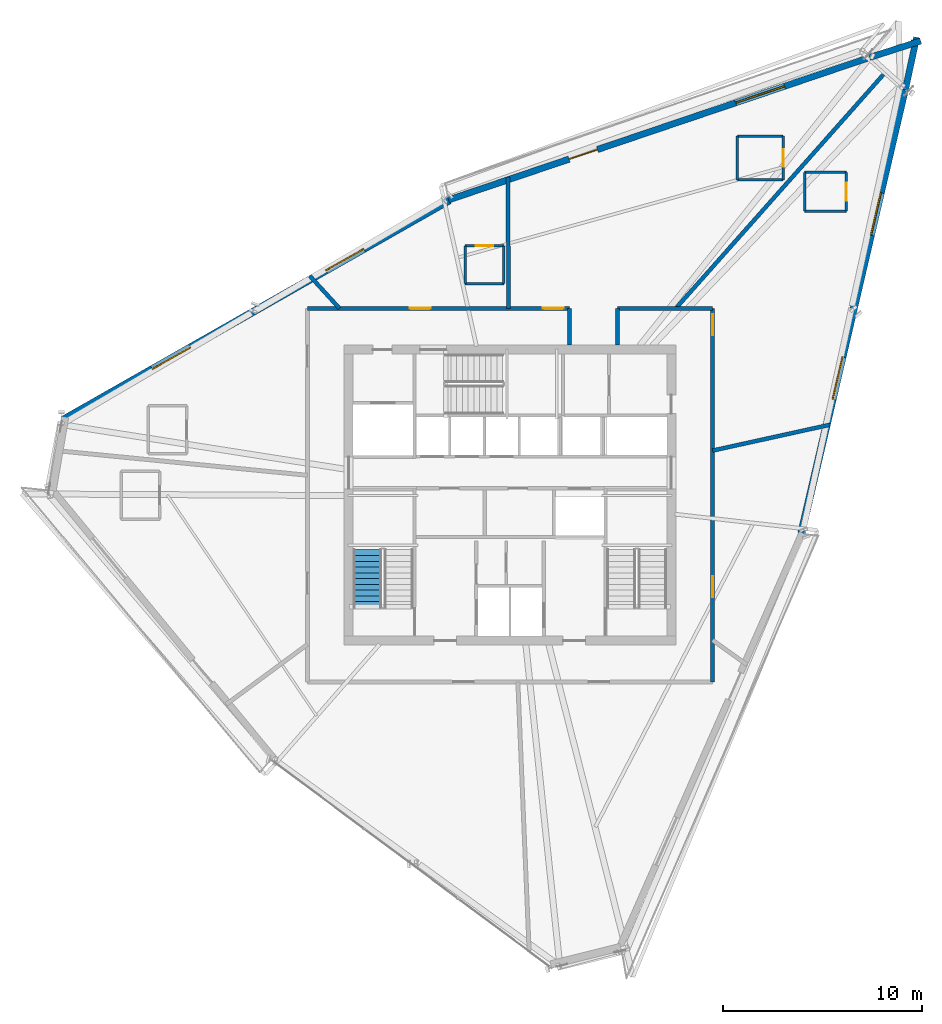
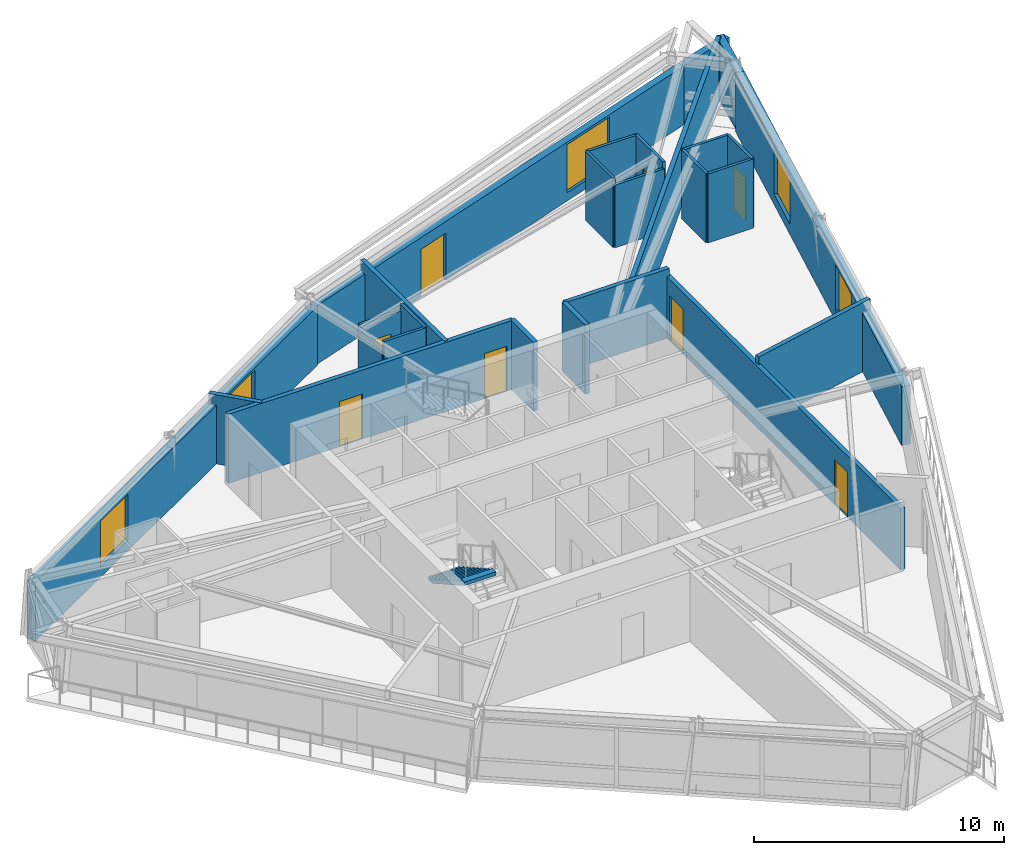
# One storey, part 10 of 14: 26 walls, 8 doors, 5 windows, 1 stair flight, 13 openings, 1 element without a shape of its own.
"""IFC4 building model written with IfcOpenShell, lengths in metres."""

from ifc_helpers import new_model, si_unit, direction, frame, frame_2d, origin, place, context, subcontext, project, spatial, polyline, rectangle, outline, extrude, source, transform, mapped, material, layer, layer_set, type_object, type_shapes, element, fill, aggregate, save


model = new_model("IFC4")

# Units and contexts
model_context = context("Model", 3, precision=1e-05, world=origin(), true_north=direction((0.0, 1.0)))
body_context = subcontext(model_context, "Body", "Model", "MODEL_VIEW")
ifc_project = project(units=[si_unit("LENGTHUNIT", "METRE"), si_unit("AREAUNIT", "SQUARE_METRE"), si_unit("VOLUMEUNIT", "CUBIC_METRE"), si_unit("PLANEANGLEUNIT", "RADIAN"), si_unit("MASSUNIT", "GRAM", prefix="KILO")], contexts=[model_context])

# Site, building, storey
site_placement = place(None, origin())
site = spatial("IfcSite", under=ifc_project, at=site_placement, CompositionType="ELEMENT")
building_placement = place(site_placement, origin())
building = spatial("IfcBuilding", under=site, at=building_placement, Name="Olszyna Solenne Hotel", CompositionType="ELEMENT")
storey_placement = place(building_placement, frame((0.0, 0.0, 230.89990234375)))
storey = spatial("IfcBuildingStorey", under=building, at=storey_placement, Name="L61", CompositionType="ELEMENT", Elevation=230.89990234375)

# Wall, openings, door, window
ifc_material_1 = material(Name="Precast concrete C45/55", Category="concrete")
ifc_layer_1 = layer(ifc_material_1, 0.320068359375, Name="Precast concrete C45/55")
ifc_layer_set_1 = layer_set([ifc_layer_1], Name="Precast concrete C45/55")
wall_type_1 = type_object("IfcWallType", Name="WL-EX320", PredefinedType="SOLIDWALL", material=ifc_layer_set_1)
wall_1_placement = place(storey_placement, frame((34.90869140625, 41.46240234375, 0.0), z_axis=(0.0, 0.0, 1.0), x_axis=(0.947234987264, 0.320539980193, 0.0)))
wall_1 = element("IfcWall", 1, at=wall_1_placement, inside=storey, type_object=wall_type_1, Name="Exterior terracotta-precast frame wall WL-EX320 EW-L61-07", PredefinedType="SOLIDWALL", context=body_context, shape_type="SweptSolid", body=[
    extrude(rectangle(XDim=22.369140625, YDim=0.320068359375, at=frame_2d((11.1845703125, 0.0))), origin(), (0.0, 0.0, 1.0), 2.8720703125),
])
opening_1_placement = place(wall_1_placement, frame((6.407958984375, 0.0, 0.0)))
opening_1 = element("IfcOpeningElement", 2, at=opening_1_placement, cuts=wall_1, Name="Opening LDG-L61-1", PredefinedType="OPENING", context=body_context, shape_type="SweptSolid", body=[
    extrude(rectangle(XDim=1.5, YDim=2.300048828125, at=frame_2d((0.75, 1.14990234375))), frame((0.0, 0.169921875, 0.0), z_axis=(0.0, -1.0, 0.0), x_axis=(1.0, 0.0, 0.0)), (0.0, 0.0, 1.0), 0.340087890625),
])
opening_2_placement = place(wall_1_placement, frame((15.2529296875, 0.0, 0.402099609375)))
opening_2 = element("IfcOpeningElement", 3, at=opening_2_placement, cuts=wall_1, Name="Opening WN-L61-399", PredefinedType="OPENING", context=body_context, shape_type="SweptSolid", body=[
    extrude(rectangle(XDim=2.60009765625, YDim=2.35009765625, at=frame_2d((1.300048828125, 1.175048828125))), frame((0.0, 0.169921875, 0.0), z_axis=(0.0, -1.0, 0.0), x_axis=(1.0, 0.0, 0.0)), (0.0, 0.0, 1.0), 0.340087890625),
])
ifc_material_2 = material(Name="Anodised bronze aluminium", Category="aluminium")
door_type_1 = type_object("IfcDoorType", Name="DR-LG2", OperationType="DOUBLE_DOOR_SINGLE_SWING", PredefinedType="DOOR", material=ifc_material_2)
shared_shape_1 = source(origin(), body_context, "Body", "SweptSolid", [
    extrude(rectangle(XDim=1.5, YDim=2.300048828125, at=frame_2d((0.75, 1.14990234375))), frame((0.0, 0.02490234375, 0.0), z_axis=(0.0, -1.0, 0.0), x_axis=(1.0, 0.0, 0.0)), (0.0, 0.0, 1.0), 0.050048828125),
])
type_shapes(door_type_1, [shared_shape_1])
door_1_placement = place(opening_1_placement, origin())
door_1 = element("IfcDoor", 4, at=door_1_placement, inside=storey, type_object=door_type_1, Name="Exterior loggia balcony door DR-LG2 LDG-L61-1", OperationType="DOUBLE_DOOR_SINGLE_SWING", OverallHeight=2.300048828125, OverallWidth=1.5, PredefinedType="DOOR", context=body_context, shape_type="MappedRepresentation", body=[
    mapped(shared_shape_1, transform((0.0, 0.0, 0.0), x_axis=(1.0, 0.0, 0.0), y_axis=(0.0, 1.0, 0.0), z_axis=(0.0, 0.0, 1.0), scale=1.0)),
])
fill(opening_1, door_1)
ifc_material_3 = material(Name="Low-E triple glazing", Category="glass")
window_type_1 = type_object("IfcWindowType", Name="WN-ST1", PartitioningType="SINGLE_PANEL", PredefinedType="WINDOW", material=ifc_material_3)
shared_shape_2 = source(origin(), body_context, "Body", "SweptSolid", [
    extrude(rectangle(XDim=2.60009765625, YDim=2.35009765625, at=frame_2d((1.300048828125, 1.175048828125))), frame((0.0, 0.030029296875, 0.0), z_axis=(0.0, -1.0, 0.0), x_axis=(1.0, 0.0, 0.0)), (0.0, 0.0, 1.0), 0.06005859375),
])
type_shapes(window_type_1, [shared_shape_2])
window_1_placement = place(opening_2_placement, origin())
window_1 = element("IfcWindow", 5, at=window_1_placement, inside=storey, type_object=window_type_1, Name="Loggia room window WN-ST1 WN-L61-399", OverallHeight=2.35009765625, OverallWidth=2.60009765625, PartitioningType="SINGLE_PANEL", PredefinedType="WINDOW", context=body_context, shape_type="MappedRepresentation", body=[
    mapped(shared_shape_2, transform((0.0, 0.0, 0.0), x_axis=(1.0, 0.0, 0.0), y_axis=(0.0, 1.0, 0.0), z_axis=(0.0, 0.0, 1.0), scale=1.0)),
])
fill(opening_2, window_1)

# Walls
wall_2_placement = place(storey_placement, frame((56.09521484375, 48.6318359375, 0.0), z_axis=(0.0, 0.0, 1.0), x_axis=(0.951993925108, 0.306116916483, 0.0)))
element("IfcWall", 6, at=wall_2_placement, inside=storey, type_object=wall_type_1, Name="Exterior terracotta-precast frame wall WL-EX320 EW-L61-08", PredefinedType="SOLIDWALL", context=body_context, shape_type="SweptSolid", body=[
    extrude(rectangle(XDim=2.714111328125, YDim=0.320068359375, at=frame_2d((1.35693359375, 0.0))), origin(), (0.0, 0.0, 1.0), 2.8720703125),
])
wall_3_placement = place(storey_placement, frame((58.4736328125, 49.648681640625, 0.0), z_axis=(0.0, 0.0, 1.0), x_axis=(-0.210020466506, -0.97769698969, 0.0)))
element("IfcWall", 7, at=wall_3_placement, inside=storey, type_object=wall_type_1, Name="Exterior terracotta-precast frame wall WL-EX320 EW-L61-09", PredefinedType="SOLIDWALL", context=body_context, shape_type="SweptSolid", body=[
    extrude(rectangle(XDim=2.71435546875, YDim=0.320068359375, at=frame_2d((1.357177734375, 0.0))), origin(), (0.0, 0.0, 1.0), 2.8720703125),
])

# Wall, openings, windows
ifc_material_4 = material(Name="Terracotta cladding on precast concrete C45/55", Category="masonry")
ifc_layer_2 = layer(ifc_material_4, 0.3798828125, Name="Terracotta cladding on precast concrete C45/55")
ifc_layer_set_2 = layer_set([ifc_layer_2], Name="Terracotta cladding on precast concrete C45/55")
wall_type_2 = type_object("IfcWallType", Name="WL-EX380", PredefinedType="SOLIDWALL", material=ifc_layer_set_2)
wall_4_placement = place(storey_placement, frame((15.50390625, 30.39599609375, 0.0), z_axis=(0.0, 0.0, 1.0), x_axis=(0.869398698509, 0.494111225365, 0.0)))
wall_4 = element("IfcWall", 8, at=wall_4_placement, inside=storey, type_object=wall_type_2, Name="Exterior terracotta-precast frame wall WL-EX380 EW-L61-06", PredefinedType="SOLIDWALL", context=body_context, shape_type="SweptSolid", body=[
    extrude(rectangle(XDim=22.368896484375, YDim=0.3798828125, at=frame_2d((11.1845703125, 0.0))), origin(), (0.0, 0.0, 1.0), 2.8720703125),
])
opening_3_placement = place(wall_4_placement, frame((5.1630859375, 0.0, 0.501953125)))
opening_3 = element("IfcOpeningElement", 9, at=opening_3_placement, cuts=wall_4, Name="Opening WN-L61-397", PredefinedType="OPENING", context=body_context, shape_type="SweptSolid", body=[
    extrude(rectangle(XDim=2.199951171875, YDim=2.25, at=frame_2d((1.10009765625, 1.125))), frame((0.0, 0.199951171875, 0.0), z_axis=(0.0, -1.0, 0.0), x_axis=(1.0, 0.0, 0.0)), (0.0, 0.0, 1.0), 0.39990234375),
])
opening_4_placement = place(wall_4_placement, frame((15.2060546875, 0.0, 0.501953125)))
opening_4 = element("IfcOpeningElement", 10, at=opening_4_placement, cuts=wall_4, Name="Opening WN-L61-398", PredefinedType="OPENING", context=body_context, shape_type="SweptSolid", body=[
    extrude(rectangle(XDim=2.199951171875, YDim=2.25, at=frame_2d((1.10009765625, 1.125))), frame((0.0, 0.199951171875, 0.0), z_axis=(0.0, -1.0, 0.0), x_axis=(1.0, 0.0, 0.0)), (0.0, 0.0, 1.0), 0.39990234375),
])
window_type_2 = type_object("IfcWindowType", Name="WN-HT2", PartitioningType="SINGLE_PANEL", PredefinedType="WINDOW", material=ifc_material_3)
shared_shape_3 = source(origin(), body_context, "Body", "SweptSolid", [
    extrude(rectangle(XDim=2.199951171875, YDim=2.25, at=frame_2d((1.10009765625, 1.125))), frame((0.0, 0.030029296875, 0.0), z_axis=(0.0, -1.0, 0.0), x_axis=(1.0, 0.0, 0.0)), (0.0, 0.0, 1.0), 0.06005859375),
])
type_shapes(window_type_2, [shared_shape_3])
window_2_placement = place(opening_3_placement, origin())
window_2 = element("IfcWindow", 11, at=window_2_placement, inside=storey, type_object=window_type_2, Name="Exterior facade window WN-HT2 WN-L61-397", OverallHeight=2.25, OverallWidth=2.199951171875, PartitioningType="SINGLE_PANEL", PredefinedType="WINDOW", context=body_context, shape_type="MappedRepresentation", body=[
    mapped(shared_shape_3, transform((0.0, 0.0, 0.0), x_axis=(1.0, 0.0, 0.0), y_axis=(0.0, 1.0, 0.0), z_axis=(0.0, 0.0, 1.0), scale=1.0)),
])
fill(opening_3, window_2)
window_3_placement = place(opening_4_placement, origin())
window_3 = element("IfcWindow", 12, at=window_3_placement, inside=storey, type_object=window_type_2, Name="Exterior facade window WN-HT2 WN-L61-398", OverallHeight=2.25, OverallWidth=2.199951171875, PartitioningType="SINGLE_PANEL", PredefinedType="WINDOW", context=body_context, shape_type="MappedRepresentation", body=[
    mapped(shared_shape_3, transform((0.0, 0.0, 0.0), x_axis=(1.0, 0.0, 0.0), y_axis=(0.0, 1.0, 0.0), z_axis=(0.0, 0.0, 1.0), scale=1.0)),
])
fill(opening_4, window_3)

wall_5_placement = place(storey_placement, frame((57.875, 47.00439453125, 0.0), z_axis=(0.0, 0.0, 1.0), x_axis=(-0.227070358906, -0.973878355908, 0.0)))
wall_5 = element("IfcWall", 13, at=wall_5_placement, inside=storey, type_object=wall_type_2, Name="Exterior terracotta-precast frame wall WL-EX380 EW-L61-10", PredefinedType="SOLIDWALL", context=body_context, shape_type="SweptSolid", body=[
    extrude(rectangle(XDim=22.9228515625, YDim=0.3798828125, at=frame_2d((11.46142578125, 0.0))), origin(), (0.0, 0.0, 1.0), 2.8720703125),
])
opening_5_placement = place(wall_5_placement, frame((5.318115234375, 0.0, 0.501953125)))
opening_5 = element("IfcOpeningElement", 14, at=opening_5_placement, cuts=wall_5, Name="Opening WN-L61-400", PredefinedType="OPENING", context=body_context, shape_type="SweptSolid", body=[
    extrude(rectangle(XDim=2.199951171875, YDim=2.25, at=frame_2d((1.10009765625, 1.125))), frame((0.0, 0.199951171875, 0.0), z_axis=(0.0, -1.0, 0.0), x_axis=(1.0, 0.0, 0.0)), (0.0, 0.0, 1.0), 0.39990234375),
])
opening_6_placement = place(wall_5_placement, frame((13.803955078125, 0.0, 0.501953125)))
opening_6 = element("IfcOpeningElement", 15, at=opening_6_placement, cuts=wall_5, Name="Opening WN-L61-401", PredefinedType="OPENING", context=body_context, shape_type="SweptSolid", body=[
    extrude(rectangle(XDim=2.199951171875, YDim=2.25, at=frame_2d((1.10009765625, 1.125))), frame((0.0, 0.199951171875, 0.0), z_axis=(0.0, -1.0, 0.0), x_axis=(1.0, 0.0, 0.0)), (0.0, 0.0, 1.0), 0.39990234375),
])
window_4_placement = place(opening_5_placement, origin())
window_4 = element("IfcWindow", 16, at=window_4_placement, inside=storey, type_object=window_type_2, Name="Exterior facade window WN-HT2 WN-L61-400", OverallHeight=2.25, OverallWidth=2.199951171875, PartitioningType="SINGLE_PANEL", PredefinedType="WINDOW", context=body_context, shape_type="MappedRepresentation", body=[
    mapped(shared_shape_3, transform((0.0, 0.0, 0.0), x_axis=(1.0, 0.0, 0.0), y_axis=(0.0, 1.0, 0.0), z_axis=(0.0, 0.0, 1.0), scale=1.0)),
])
fill(opening_5, window_4)
window_5_placement = place(opening_6_placement, origin())
window_5 = element("IfcWindow", 17, at=window_5_placement, inside=storey, type_object=window_type_2, Name="Exterior facade window WN-HT2 WN-L61-401", OverallHeight=2.25, OverallWidth=2.199951171875, PartitioningType="SINGLE_PANEL", PredefinedType="WINDOW", context=body_context, shape_type="MappedRepresentation", body=[
    mapped(shared_shape_3, transform((0.0, 0.0, 0.0), x_axis=(1.0, 0.0, 0.0), y_axis=(0.0, 1.0, 0.0), z_axis=(0.0, 0.0, 1.0), scale=1.0)),
])
fill(opening_6, window_5)

# Wall, opening, door
ifc_material_5 = material(Name="Acoustic gypsum partition", Category="gypsum")
ifc_layer_3 = layer(ifc_material_5, 0.125, Name="Acoustic gypsum partition")
ifc_layer_set_3 = layer_set([ifc_layer_3], Name="Acoustic gypsum partition")
wall_type_3 = type_object("IfcWallType", Name="WL-PT125", PredefinedType="PARTITIONING", material=ifc_layer_set_3)
wall_6_placement = place(storey_placement, frame((51.74609375, 42.47412109375, 0.0), z_axis=(0.0, 0.0, 1.0), x_axis=(0.0, 1.0, 0.0)))
wall_6 = element("IfcWall", 18, at=wall_6_placement, inside=storey, type_object=wall_type_3, Name="Interior acoustic partition WL-PT125 PW-L61-3373", PredefinedType="PARTITIONING", context=body_context, shape_type="SweptSolid", body=[
    extrude(rectangle(XDim=2.199951171875, YDim=0.125, at=frame_2d((1.10009765625, 0.0))), origin(), (0.0, 0.0, 1.0), 3.380126953125),
])
opening_7_placement = place(wall_6_placement, frame((0.64990234375, 0.0, 0.0)))
opening_7 = element("IfcOpeningElement", 19, at=opening_7_placement, cuts=wall_6, Name="Opening DR-L61-0821", PredefinedType="OPENING", context=body_context, shape_type="SweptSolid", body=[
    extrude(rectangle(XDim=0.89990234375, YDim=2.10009765625, at=frame_2d((0.449951171875, 1.050048828125))), frame((0.0, 0.072509765625, 0.0), z_axis=(0.0, -1.0, 0.0), x_axis=(1.0, 0.0, 0.0)), (0.0, 0.0, 1.0), 0.14501953125),
])
ifc_material_6 = material(Name="Timber hardwood", Category="wood")
door_type_2 = type_object("IfcDoorType", Name="DR-WC1", OperationType="NOTDEFINED", PredefinedType="DOOR", material=ifc_material_6)
shared_shape_4 = source(origin(), body_context, "Body", "SweptSolid", [
    extrude(rectangle(XDim=0.89990234375, YDim=2.10009765625, at=frame_2d((0.449951171875, 1.050048828125))), frame((0.0, 0.02490234375, 0.0), z_axis=(0.0, -1.0, 0.0), x_axis=(1.0, 0.0, 0.0)), (0.0, 0.0, 1.0), 0.050048828125),
])
type_shapes(door_type_2, [shared_shape_4])
door_2_placement = place(opening_7_placement, origin())
door_2 = element("IfcDoor", 20, at=door_2_placement, inside=storey, type_object=door_type_2, Name="En-Suite Bathroom Door DR-L61-0821", OperationType="SINGLE_SWING_RIGHT", OverallHeight=2.10009765625, OverallWidth=0.89990234375, PredefinedType="DOOR", context=body_context, shape_type="MappedRepresentation", body=[
    mapped(shared_shape_4, transform((0.0, 0.0, 0.0), x_axis=(1.0, 0.0, 0.0), y_axis=(0.0, 1.0, 0.0), z_axis=(0.0, 0.0, 1.0), scale=1.0)),
])
fill(opening_7, door_2)

# Walls
wall_7_placement = place(storey_placement, frame((51.74609375, 44.674072265625, 0.0), z_axis=(0.0, 0.0, 1.0), x_axis=(-1.0, 0.0, 0.0)))
element("IfcWall", 21, at=wall_7_placement, inside=storey, type_object=wall_type_3, Name="Interior acoustic partition WL-PT125 PW-L61-3374", PredefinedType="PARTITIONING", context=body_context, shape_type="SweptSolid", body=[
    extrude(rectangle(XDim=2.300048828125, YDim=0.125, at=frame_2d((1.14990234375, 0.0))), origin(), (0.0, 0.0, 1.0), 3.380126953125),
])
wall_8_placement = place(storey_placement, frame((49.446044921875, 44.674072265625, 0.0), z_axis=(0.0, 0.0, 1.0), x_axis=(0.0, -1.0, 0.0)))
element("IfcWall", 22, at=wall_8_placement, inside=storey, type_object=wall_type_3, Name="Interior acoustic partition WL-PT125 PW-L61-3375", PredefinedType="PARTITIONING", context=body_context, shape_type="SweptSolid", body=[
    extrude(rectangle(XDim=2.199951171875, YDim=0.125, at=frame_2d((1.10009765625, 0.0))), origin(), (0.0, 0.0, 1.0), 3.380126953125),
])
wall_9_placement = place(storey_placement, frame((49.446044921875, 42.47412109375, 0.0), z_axis=(0.0, 0.0, 1.0), x_axis=(1.0, 0.0, 0.0)))
element("IfcWall", 23, at=wall_9_placement, inside=storey, type_object=wall_type_3, Name="Interior acoustic partition WL-PT125 PW-L61-3376", PredefinedType="PARTITIONING", context=body_context, shape_type="SweptSolid", body=[
    extrude(rectangle(XDim=2.300048828125, YDim=0.125, at=frame_2d((1.14990234375, 0.0))), origin(), (0.0, 0.0, 1.0), 3.065185546875),
])
wall_10_placement = place(storey_placement, frame((37.69091796875, 37.2470703125, 0.0), z_axis=(0.0, 0.0, 1.0), x_axis=(0.0, 1.0, 0.0)))
element("IfcWall", 24, at=wall_10_placement, inside=storey, type_object=wall_type_3, Name="Interior acoustic partition WL-PT125 PW-L61-3377", PredefinedType="PARTITIONING", context=body_context, shape_type="SweptSolid", body=[
    extrude(rectangle(XDim=1.89990234375, YDim=0.125, at=frame_2d((0.949951171875, 0.0))), origin(), (0.0, 0.0, 1.0), 3.380126953125),
])

# Wall, opening, door
wall_11_placement = place(storey_placement, frame((37.69091796875, 39.14697265625, 0.0), z_axis=(0.0, 0.0, 1.0), x_axis=(-1.0, 0.0, 0.0)))
wall_11 = element("IfcWall", 25, at=wall_11_placement, inside=storey, type_object=wall_type_3, Name="Interior acoustic partition WL-PT125 PW-L61-3378", PredefinedType="PARTITIONING", context=body_context, shape_type="SweptSolid", body=[
    extrude(rectangle(XDim=1.949951171875, YDim=0.125, at=frame_2d((0.97509765625, 0.0))), origin(), (0.0, 0.0, 1.0), 3.065185546875),
])
opening_8_placement = place(wall_11_placement, frame((0.52490234375, 0.0, 0.0)))
opening_8 = element("IfcOpeningElement", 26, at=opening_8_placement, cuts=wall_11, Name="Opening DR-L61-0822", PredefinedType="OPENING", context=body_context, shape_type="SweptSolid", body=[
    extrude(rectangle(XDim=0.89990234375, YDim=2.10009765625, at=frame_2d((0.449951171875, 1.050048828125))), frame((0.0, 0.072509765625, 0.0), z_axis=(0.0, -1.0, 0.0), x_axis=(1.0, 0.0, 0.0)), (0.0, 0.0, 1.0), 0.14501953125),
])
door_3_placement = place(opening_8_placement, origin())
door_3 = element("IfcDoor", 27, at=door_3_placement, inside=storey, type_object=door_type_2, Name="En-Suite Bathroom Door DR-L61-0822", OperationType="SINGLE_SWING_LEFT", OverallHeight=2.10009765625, OverallWidth=0.89990234375, PredefinedType="DOOR", context=body_context, shape_type="MappedRepresentation", body=[
    mapped(shared_shape_4, transform((0.0, 0.0, 0.0), x_axis=(1.0, 0.0, 0.0), y_axis=(0.0, 1.0, 0.0), z_axis=(0.0, 0.0, 1.0), scale=1.0)),
])
fill(opening_8, door_3)

# Walls
wall_12_placement = place(storey_placement, frame((35.740966796875, 39.14697265625, 0.0), z_axis=(0.0, 0.0, 1.0), x_axis=(0.0, -1.0, 0.0)))
element("IfcWall", 28, at=wall_12_placement, inside=storey, type_object=wall_type_3, Name="Interior acoustic partition WL-PT125 PW-L61-3379", PredefinedType="PARTITIONING", context=body_context, shape_type="SweptSolid", body=[
    extrude(rectangle(XDim=1.89990234375, YDim=0.125, at=frame_2d((0.949951171875, 0.0))), origin(), (0.0, 0.0, 1.0), 2.9150390625),
])
wall_13_placement = place(storey_placement, frame((35.740966796875, 37.2470703125, 0.0), z_axis=(0.0, 0.0, 1.0), x_axis=(1.0, 0.0, 0.0)))
element("IfcWall", 29, at=wall_13_placement, inside=storey, type_object=wall_type_3, Name="Interior acoustic partition WL-PT125 PW-L61-3380", PredefinedType="PARTITIONING", context=body_context, shape_type="SweptSolid", body=[
    extrude(rectangle(XDim=1.949951171875, YDim=0.125, at=frame_2d((0.97509765625, 0.0))), origin(), (0.0, 0.0, 1.0), 3.380126953125),
])

# Wall, opening, door
wall_14_placement = place(storey_placement, frame((54.93505859375, 40.89892578125, 0.0), z_axis=(0.0, 0.0, 1.0), x_axis=(0.0, 1.0, 0.0)))
wall_14 = element("IfcWall", 30, at=wall_14_placement, inside=storey, type_object=wall_type_3, Name="Interior acoustic partition WL-PT125 PW-L61-3389", PredefinedType="PARTITIONING", context=body_context, shape_type="SweptSolid", body=[
    extrude(rectangle(XDim=1.9501953125, YDim=0.125, at=frame_2d((0.97509765625, 0.0))), origin(), (0.0, 0.0, 1.0), 3.380126953125),
])
opening_9_placement = place(wall_14_placement, frame((0.52490234375, 0.0, 0.0)))
opening_9 = element("IfcOpeningElement", 31, at=opening_9_placement, cuts=wall_14, Name="Opening DR-L61-0825", PredefinedType="OPENING", context=body_context, shape_type="SweptSolid", body=[
    extrude(rectangle(XDim=0.89990234375, YDim=2.10009765625, at=frame_2d((0.449951171875, 1.050048828125))), frame((0.0, 0.072509765625, 0.0), z_axis=(0.0, -1.0, 0.0), x_axis=(1.0, 0.0, 0.0)), (0.0, 0.0, 1.0), 0.14501953125),
])
door_4_placement = place(opening_9_placement, origin())
door_4 = element("IfcDoor", 32, at=door_4_placement, inside=storey, type_object=door_type_2, Name="En-Suite Bathroom Door DR-L61-0825", OperationType="SINGLE_SWING_RIGHT", OverallHeight=2.10009765625, OverallWidth=0.89990234375, PredefinedType="DOOR", context=body_context, shape_type="MappedRepresentation", body=[
    mapped(shared_shape_4, transform((0.0, 0.0, 0.0), x_axis=(1.0, 0.0, 0.0), y_axis=(0.0, 1.0, 0.0), z_axis=(0.0, 0.0, 1.0), scale=1.0)),
])
fill(opening_9, door_4)

# Walls
wall_15_placement = place(storey_placement, frame((54.93505859375, 42.84912109375, 0.0), z_axis=(0.0, 0.0, 1.0), x_axis=(-1.0, 0.0, 0.0)))
element("IfcWall", 33, at=wall_15_placement, inside=storey, type_object=wall_type_3, Name="Interior acoustic partition WL-PT125 PW-L61-3390", PredefinedType="PARTITIONING", context=body_context, shape_type="SweptSolid", body=[
    extrude(rectangle(XDim=2.10009765625, YDim=0.125, at=frame_2d((1.050048828125, 0.0))), origin(), (0.0, 0.0, 1.0), 3.380126953125),
])
wall_16_placement = place(storey_placement, frame((52.8349609375, 42.84912109375, 0.0), z_axis=(0.0, 0.0, 1.0), x_axis=(0.0, -1.0, 0.0)))
element("IfcWall", 34, at=wall_16_placement, inside=storey, type_object=wall_type_3, Name="Interior acoustic partition WL-PT125 PW-L61-3391", PredefinedType="PARTITIONING", context=body_context, shape_type="SweptSolid", body=[
    extrude(rectangle(XDim=1.9501953125, YDim=0.125, at=frame_2d((0.97509765625, 0.0))), origin(), (0.0, 0.0, 1.0), 3.380126953125),
])
wall_17_placement = place(storey_placement, frame((52.8349609375, 40.89892578125, 0.0), z_axis=(0.0, 0.0, 1.0), x_axis=(1.0, 0.0, 0.0)))
element("IfcWall", 35, at=wall_17_placement, inside=storey, type_object=wall_type_3, Name="Interior acoustic partition WL-PT125 PW-L61-3392", PredefinedType="PARTITIONING", context=body_context, shape_type="SweptSolid", body=[
    extrude(rectangle(XDim=2.10009765625, YDim=0.125, at=frame_2d((1.050048828125, 0.0))), origin(), (0.0, 0.0, 1.0), 3.380126953125),
])
ifc_layer_4 = layer(ifc_material_5, 0.199951171875, Name="Acoustic gypsum partition")
ifc_layer_set_4 = layer_set([ifc_layer_4], Name="Acoustic gypsum partition")
wall_type_4 = type_object("IfcWallType", Name="WL-PT200", PredefinedType="PARTITIONING", material=ifc_layer_set_4)
wall_18_placement = place(storey_placement, frame((46.345703125, 36.0, 0.0), z_axis=(0.0, 0.0, 1.0), x_axis=(0.663932561703, 0.747792453499, 0.0)))
element("IfcWall", 36, at=wall_18_placement, inside=storey, type_object=wall_type_4, Name="Interior acoustic partition WL-PT200 PW-L61-3365", PredefinedType="PARTITIONING", context=body_context, shape_type="SweptSolid", body=[
    extrude(rectangle(XDim=18.029541015625, YDim=0.199951171875, at=frame_2d((9.0146484375, 0.0))), origin(), (0.0, 0.0, 1.0), 2.97509765625),
])
wall_19_placement = place(storey_placement, frame((37.934326171875, 36.0, 0.0), z_axis=(0.0, 0.0, 1.0), x_axis=(-0.006982760372, 0.999975620232, 0.0)))
element("IfcWall", 37, at=wall_19_placement, inside=storey, type_object=wall_type_4, Name="Interior acoustic partition WL-PT200 PW-L61-3366", PredefinedType="PARTITIONING", context=body_context, shape_type="SweptSolid", body=[
    extrude(rectangle(XDim=6.608154296875, YDim=0.199951171875, at=frame_2d((3.30419921875, 0.0))), origin(), (0.0, 0.0, 1.0), 3.380126953125),
])
wall_20_placement = place(storey_placement, frame((29.41650390625, 36.0, 0.0), z_axis=(0.0, 0.0, 1.0), x_axis=(-0.67428241759, 0.738473575241, 0.0)))
element("IfcWall", 38, at=wall_20_placement, inside=storey, type_object=wall_type_4, Name="Interior acoustic partition WL-PT200 PW-L61-3367", PredefinedType="PARTITIONING", context=body_context, shape_type="SweptSolid", body=[
    extrude(rectangle(XDim=2.21728515625, YDim=0.199951171875, at=frame_2d((1.108642578125, 0.0))), origin(), (0.0, 0.0, 1.0), 3.380126953125),
])
wall_21_placement = place(storey_placement, frame((48.199951171875, 28.842529296875, 0.0), z_axis=(0.0, 0.0, 1.0), x_axis=(0.976672748027, 0.214733190871, 0.0)))
element("IfcWall", 39, at=wall_21_placement, inside=storey, type_object=wall_type_4, Name="Interior acoustic partition WL-PT200 PW-L61-3372", PredefinedType="PARTITIONING", context=body_context, shape_type="SweptSolid", body=[
    extrude(rectangle(XDim=6.048583984375, YDim=0.199951171875, at=frame_2d((3.0244140625, 0.0))), origin(), (0.0, 0.0, 1.0), 3.380126953125),
])

# Wall, openings, doors
wall_22_placement = place(storey_placement, frame((27.800048828125, 36.0, 0.0), z_axis=(0.0, 0.0, 1.0), x_axis=(1.0, 0.0, 0.0)))
wall_22 = element("IfcWall", 40, at=wall_22_placement, inside=storey, type_object=wall_type_4, Name="Interior acoustic partition WL-PT200 PW-L61-3395", PredefinedType="PARTITIONING", context=body_context, shape_type="SweptSolid", body=[
    extrude(rectangle(XDim=13.199951171875, YDim=0.199951171875, at=frame_2d((6.60009765625, 0.0))), origin(), (0.0, 0.0, 1.0), 3.380126953125),
])
opening_10_placement = place(wall_22_placement, frame((11.85009765625, 0.0, 0.0)))
opening_10 = element("IfcOpeningElement", 41, at=opening_10_placement, cuts=wall_22, Name="Opening DR-L61-0830", PredefinedType="OPENING", context=body_context, shape_type="SweptSolid", body=[
    extrude(rectangle(XDim=1.050048828125, YDim=2.199951171875, at=frame_2d((0.52490234375, 1.10009765625))), frame((0.0, 0.10986328125, 0.0), z_axis=(0.0, -1.0, 0.0), x_axis=(1.0, 0.0, 0.0)), (0.0, 0.0, 1.0), 0.219970703125),
])
opening_11_placement = place(wall_22_placement, frame((5.14990234375, 0.0, 0.0)))
opening_11 = element("IfcOpeningElement", 42, at=opening_11_placement, cuts=wall_22, Name="Opening DR-L61-0831", PredefinedType="OPENING", context=body_context, shape_type="SweptSolid", body=[
    extrude(rectangle(XDim=1.050048828125, YDim=2.199951171875, at=frame_2d((0.52490234375, 1.10009765625))), frame((0.0, 0.10986328125, 0.0), z_axis=(0.0, -1.0, 0.0), x_axis=(1.0, 0.0, 0.0)), (0.0, 0.0, 1.0), 0.219970703125),
])
door_type_3 = type_object("IfcDoorType", Name="DR-RM2", OperationType="NOTDEFINED", PredefinedType="DOOR", material=ifc_material_6)
shared_shape_5 = source(origin(), body_context, "Body", "SweptSolid", [
    extrude(rectangle(XDim=1.050048828125, YDim=2.199951171875, at=frame_2d((0.52490234375, 1.10009765625))), frame((0.0, 0.02490234375, 0.0), z_axis=(0.0, -1.0, 0.0), x_axis=(1.0, 0.0, 0.0)), (0.0, 0.0, 1.0), 0.050048828125),
])
type_shapes(door_type_3, [shared_shape_5])
door_5_placement = place(opening_10_placement, origin())
door_5 = element("IfcDoor", 43, at=door_5_placement, inside=storey, type_object=door_type_3, Name="Deluxe Hotel Guestroom Entrance Door DR-L61-0830", OperationType="SINGLE_SWING_RIGHT", OverallHeight=2.199951171875, OverallWidth=1.050048828125, PredefinedType="DOOR", context=body_context, shape_type="MappedRepresentation", body=[
    mapped(shared_shape_5, transform((0.0, 0.0, 0.0), x_axis=(1.0, 0.0, 0.0), y_axis=(0.0, 1.0, 0.0), z_axis=(0.0, 0.0, 1.0), scale=1.0)),
])
fill(opening_10, door_5)
door_6_placement = place(opening_11_placement, origin())
door_6 = element("IfcDoor", 44, at=door_6_placement, inside=storey, type_object=door_type_3, Name="Deluxe Hotel Guestroom Entrance Door DR-L61-0831", OperationType="SINGLE_SWING_LEFT", OverallHeight=2.199951171875, OverallWidth=1.050048828125, PredefinedType="DOOR", context=body_context, shape_type="MappedRepresentation", body=[
    mapped(shared_shape_5, transform((0.0, 0.0, 0.0), x_axis=(1.0, 0.0, 0.0), y_axis=(0.0, 1.0, 0.0), z_axis=(0.0, 0.0, 1.0), scale=1.0)),
])
fill(opening_11, door_6)

# Walls
wall_23_placement = place(storey_placement, frame((41.0, 34.14990234375, 0.0), z_axis=(0.0, 0.0, 1.0), x_axis=(0.0, 1.0, 0.0)))
element("IfcWall", 45, at=wall_23_placement, inside=storey, type_object=wall_type_4, Name="Interior acoustic partition WL-PT200 PW-L61-3396", PredefinedType="PARTITIONING", context=body_context, shape_type="SweptSolid", body=[
    extrude(rectangle(XDim=1.85009765625, YDim=0.199951171875, at=frame_2d((0.925048828125, 0.0))), origin(), (0.0, 0.0, 1.0), 3.380126953125),
])
wall_24_placement = place(storey_placement, frame((43.39990234375, 36.0, 0.0), z_axis=(0.0, 0.0, 1.0), x_axis=(1.0, 0.0, 0.0)))
element("IfcWall", 46, at=wall_24_placement, inside=storey, type_object=wall_type_4, Name="Interior acoustic partition WL-PT200 PW-L61-3397", PredefinedType="PARTITIONING", context=body_context, shape_type="SweptSolid", body=[
    extrude(rectangle(XDim=4.800048828125, YDim=0.199951171875, at=frame_2d((2.39990234375, 0.0))), origin(), (0.0, 0.0, 1.0), 3.380126953125),
])
wall_25_placement = place(storey_placement, frame((43.39990234375, 34.14990234375, 0.0), z_axis=(0.0, 0.0, 1.0), x_axis=(0.0, 1.0, 0.0)))
element("IfcWall", 47, at=wall_25_placement, inside=storey, type_object=wall_type_4, Name="Interior acoustic partition WL-PT200 PW-L61-3398", PredefinedType="PARTITIONING", context=body_context, shape_type="SweptSolid", body=[
    extrude(rectangle(XDim=1.85009765625, YDim=0.199951171875, at=frame_2d((0.925048828125, 0.0))), origin(), (0.0, 0.0, 1.0), 3.380126953125),
])

# Wall, openings, doors
wall_26_placement = place(storey_placement, frame((48.199951171875, 17.199951171875, 0.0), z_axis=(0.0, 0.0, 1.0), x_axis=(0.0, 1.0, 0.0)))
wall_26 = element("IfcWall", 48, at=wall_26_placement, inside=storey, type_object=wall_type_4, Name="Interior acoustic partition WL-PT200 PW-L61-3399", PredefinedType="PARTITIONING", context=body_context, shape_type="SweptSolid", body=[
    extrude(rectangle(XDim=18.800048828125, YDim=0.199951171875, at=frame_2d((9.39990234375, 0.0))), origin(), (0.0, 0.0, 1.0), 3.005126953125),
])
opening_12_placement = place(wall_26_placement, frame((4.260986328125, 0.0, 0.0)))
opening_12 = element("IfcOpeningElement", 49, at=opening_12_placement, cuts=wall_26, Name="Opening DR-L61-0832", PredefinedType="OPENING", context=body_context, shape_type="SweptSolid", body=[
    extrude(rectangle(XDim=1.050048828125, YDim=2.199951171875, at=frame_2d((0.52490234375, 1.10009765625))), frame((0.0, 0.10986328125, 0.0), z_axis=(0.0, -1.0, 0.0), x_axis=(1.0, 0.0, 0.0)), (0.0, 0.0, 1.0), 0.219970703125),
])
opening_13_placement = place(wall_26_placement, frame((17.449951171875, 0.0, 0.0)))
opening_13 = element("IfcOpeningElement", 50, at=opening_13_placement, cuts=wall_26, Name="Opening DR-L61-0833", PredefinedType="OPENING", context=body_context, shape_type="SweptSolid", body=[
    extrude(rectangle(XDim=1.050048828125, YDim=2.199951171875, at=frame_2d((0.52490234375, 1.10009765625))), frame((0.0, 0.10986328125, 0.0), z_axis=(0.0, -1.0, 0.0), x_axis=(1.0, 0.0, 0.0)), (0.0, 0.0, 1.0), 0.219970703125),
])
door_7_placement = place(opening_12_placement, origin())
door_7 = element("IfcDoor", 51, at=door_7_placement, inside=storey, type_object=door_type_3, Name="Private Business Office Entrance Door DR-L61-0832", OperationType="SINGLE_SWING_RIGHT", OverallHeight=2.199951171875, OverallWidth=1.050048828125, PredefinedType="DOOR", context=body_context, shape_type="MappedRepresentation", body=[
    mapped(shared_shape_5, transform((0.0, 0.0, 0.0), x_axis=(1.0, 0.0, 0.0), y_axis=(0.0, 1.0, 0.0), z_axis=(0.0, 0.0, 1.0), scale=1.0)),
])
fill(opening_12, door_7)
door_8_placement = place(opening_13_placement, origin())
door_8 = element("IfcDoor", 52, at=door_8_placement, inside=storey, type_object=door_type_3, Name="Executive Reading Salon Entrance Door DR-L61-0833", OperationType="SINGLE_SWING_LEFT", OverallHeight=2.199951171875, OverallWidth=1.050048828125, PredefinedType="DOOR", context=body_context, shape_type="MappedRepresentation", body=[
    mapped(shared_shape_5, transform((0.0, 0.0, 0.0), x_axis=(1.0, 0.0, 0.0), y_axis=(0.0, 1.0, 0.0), z_axis=(0.0, 0.0, 1.0), scale=1.0)),
])
fill(opening_13, door_8)

# Stair, stair flight
ifc_material_7 = material(Name="Concrete C40/50", Category="concrete")
stair_type = type_object("IfcStairType", Name="STR-C1", PredefinedType="TWO_QUARTER_WINDING_STAIR", material=ifc_material_7)
stair_placement = place(storey_placement, origin())
stair = element("IfcStair", 53, at=stair_placement, inside=storey, type_object=stair_type, Name="L61 ST1", PredefinedType="TWO_QUARTER_WINDING_STAIR")
stair_flight_type = type_object("IfcStairFlightType", Name="FLT-C1", PredefinedType="STRAIGHT", material=ifc_material_7)
stair_flight_placement = place(storey_placement, frame((30.824951171875, 23.85009765625, 1.800048828125), z_axis=(0.0, 0.0, 1.0), x_axis=(0.0, -1.0, 0.0)))
stair_flight = element("IfcStairFlight", 54, at=stair_flight_placement, type_object=stair_flight_type, Name="ST1 flight 2", NumberOfRisers=11, NumberOfTreads=10, PredefinedType="STRAIGHT", RiserHeight=0.163636364, TreadLength=0.29, context=body_context, shape_type="SweptSolid", body=[
    extrude(outline(polyline([(0.0, 0.0), (0.0, 0.16357421875), (0.2900390625, 0.16357421875), (0.2900390625, 0.327392578125), (0.580078125, 0.327392578125), (0.580078125, 0.490966796875), (0.8701171875, 0.490966796875), (0.8701171875, 0.654541015625), (1.159912109375, 0.654541015625), (1.159912109375, 0.818115234375), (1.449951171875, 0.818115234375), (1.449951171875, 0.98193359375), (1.739990234375, 0.98193359375), (1.739990234375, 1.1455078125), (2.030029296875, 1.1455078125), (2.030029296875, 1.30908203125), (2.320068359375, 1.30908203125), (2.320068359375, 1.47265625), (2.610107421875, 1.47265625), (2.610107421875, 1.636474609375), (2.89990234375, 1.636474609375), (2.89990234375, 1.800048828125), (2.89990234375, 1.46435546875), (0.304931640625, 0.0), (0.0, 0.0)])), frame((0.0, 0.72509765625, 0.0), z_axis=(0.0, -1.0, 0.0), x_axis=(1.0, 0.0, 0.0)), (0.0, 0.0, 1.0), 1.449951171875),
])
aggregate(stair, [stair_flight])

save(model, "model.ifc")
